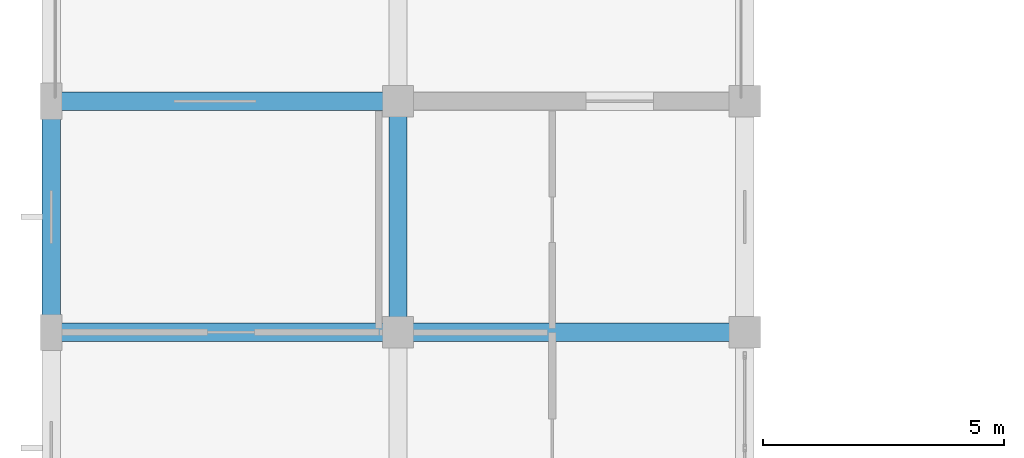
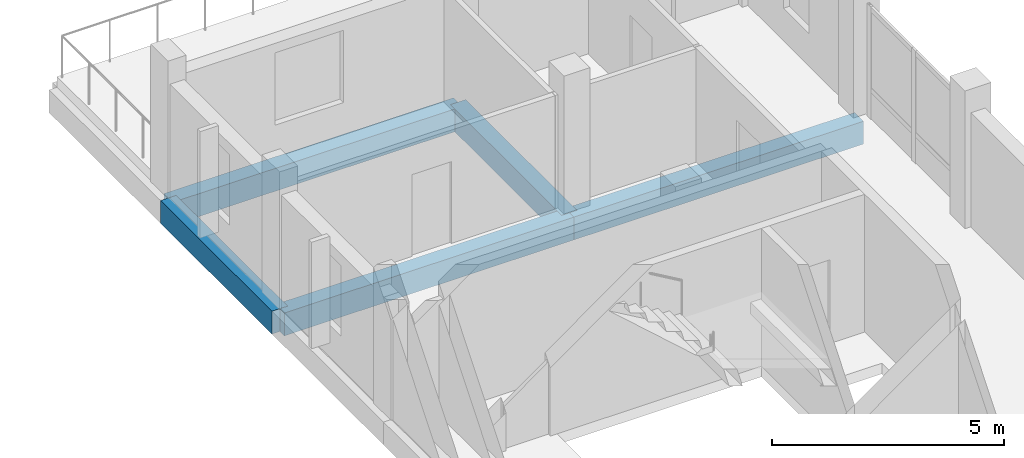
# One storey, part 12 of 93: 5 beams.
"""IFC4 building model written with IfcOpenShell, lengths in metres."""

from ifc_helpers import new_model, si_unit, direction, frame, origin, origin_2d, place, context, subcontext, project, spatial, rectangle, extrude, material, material_profile, profile_set, type_object, element, save


model = new_model("IFC4")

# Units and contexts
model_context = context("Model", 3, precision=1e-05, world=origin(), true_north=direction((0.0, 1.0)))
body_context = subcontext(model_context, "Body", "Model", "MODEL_VIEW")
ifc_project = project(units=[si_unit("LENGTHUNIT", "METRE"), si_unit("AREAUNIT", "SQUARE_METRE"), si_unit("VOLUMEUNIT", "CUBIC_METRE"), si_unit("PLANEANGLEUNIT", "RADIAN"), si_unit("MASSUNIT", "GRAM", prefix="KILO")], contexts=[model_context])

# Site, building, storey
site_placement = place(None, origin())
site = spatial("IfcSite", under=ifc_project, at=site_placement, CompositionType="ELEMENT")
building_placement = place(site_placement, origin())
building = spatial("IfcBuilding", under=site, at=building_placement, Name="Zornivar Specialist Clinic", CompositionType="ELEMENT")
storey_placement = place(building_placement, frame((0.0, 0.0, 8.39990234375)))
storey = spatial("IfcBuildingStorey", under=building, at=storey_placement, Name="L02", CompositionType="ELEMENT", Elevation=8.39990234375)

# Beams
ifc_material_1 = material(Name="Concrete C30/37", Category="concrete")
ifc_material_profile_1 = material_profile(ifc_material_1, rectangle(XDim=0.3798828125, YDim=0.60009765625, at=origin_2d()), Name="RC 380x600")
ifc_profile_set_1 = profile_set([ifc_material_profile_1], Name="Concrete C30/37")
beam_type_1 = type_object("IfcBeamType", Name="BM-RC-380x600", PredefinedType="BEAM", material=ifc_profile_set_1)
for number, where, z_axis, x_axis, name in (
    (1, (0.0, 48.0, -0.579833984375), (1.0, 0.0, 0.0), (0.0, 1.0, 0.0), "bm:V2:L02:x:480:0"),
    (2, (7.199951171875, 48.0, -0.579833984375), (1.0, 0.0, 0.0), (0.0, 1.0, 0.0), "bm:V2:L02:x:480:1"),
    (3, (0.0, 52.800048828125, -0.579833984375), (1.0, 0.0, 0.0), (0.0, 1.0, 0.0), "bm:V2:L02:x:528:0"),
):
    element("IfcBeam", number, at=place(storey_placement, frame(where, z_axis=z_axis, x_axis=x_axis)), inside=storey, type_object=beam_type_1, Name=name, PredefinedType="BEAM", context=body_context, shape_type="SweptSolid", body=[
        extrude(rectangle(XDim=0.3798828125, YDim=0.60009765625, at=origin_2d()), origin(), (0.0, 0.0, 1.0), 7.199951171875),
    ])
beam_1_placement = place(storey_placement, frame((7.199951171875, 48.0, -0.579833984375), z_axis=(0.0, 1.0, 0.0), x_axis=(-1.0, 0.0, 0.0)))
element("IfcBeam", 4, at=beam_1_placement, inside=storey, type_object=beam_type_1, Name="bm:V2:L02:y:72:7", PredefinedType="BEAM", context=body_context, shape_type="SweptSolid", body=[
    extrude(rectangle(XDim=0.3798828125, YDim=0.60009765625, at=origin_2d()), origin(), (0.0, 0.0, 1.0), 4.800048828125),
])
ifc_material_2 = material(Name="Concrete C30/37", Category="concrete")
ifc_material_profile_2 = material_profile(ifc_material_2, rectangle(XDim=0.389892578125, YDim=0.60009765625, at=origin_2d()), Name="RC 390x600")
ifc_profile_set_2 = profile_set([ifc_material_profile_2], Name="Concrete C30/37")
beam_type_2 = type_object("IfcBeamType", Name="BM-RC-SPANDREL-390x600", PredefinedType="SPANDREL", material=ifc_profile_set_2)
beam_2_placement = place(storey_placement, frame((0.0, 48.0, -0.579833984375), z_axis=(0.0, 1.0, 0.0), x_axis=(-1.0, 0.0, 0.0)))
element("IfcBeam", 5, at=beam_2_placement, inside=storey, type_object=beam_type_2, Name="bm:V2:L02:y:0:7", PredefinedType="SPANDREL", context=body_context, shape_type="SweptSolid", body=[
    extrude(rectangle(XDim=0.389892578125, YDim=0.60009765625, at=origin_2d()), origin(), (0.0, 0.0, 1.0), 4.800048828125),
])

save(model, "model.ifc")
